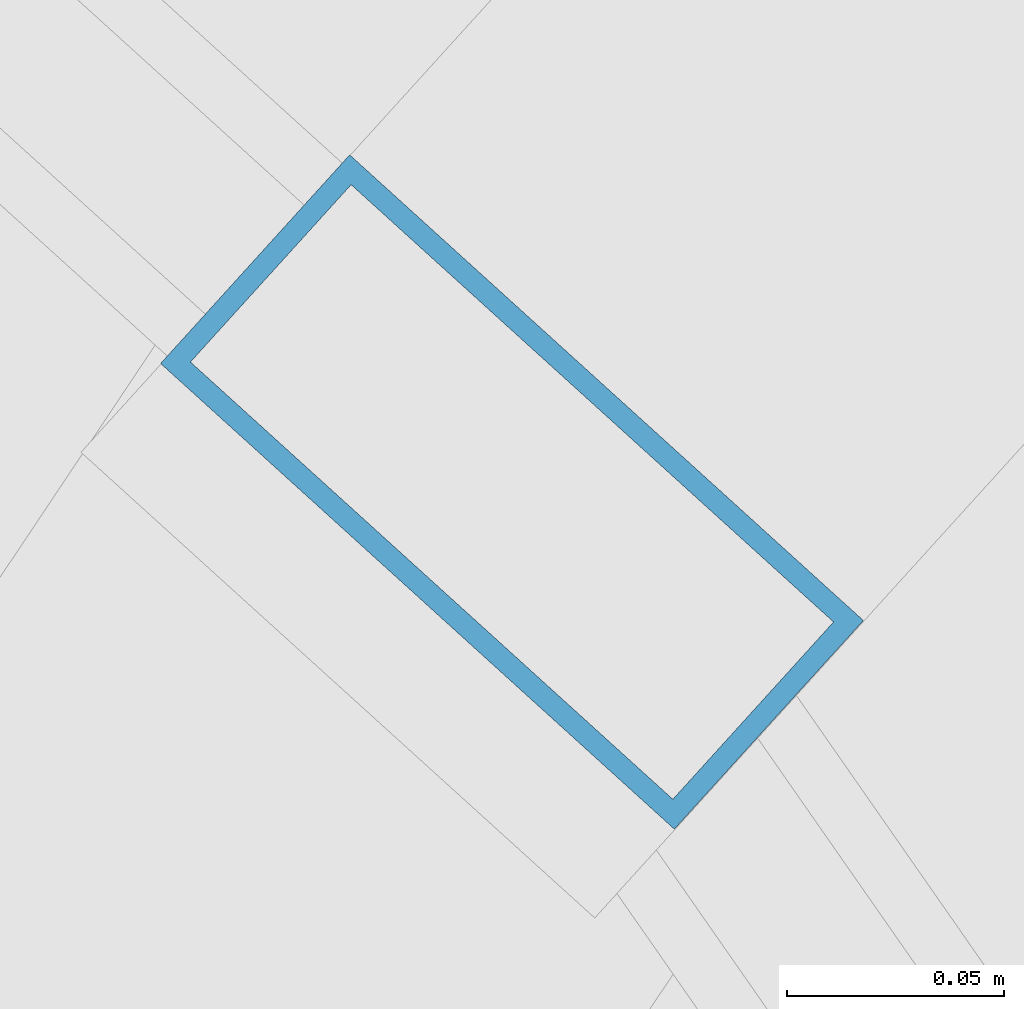
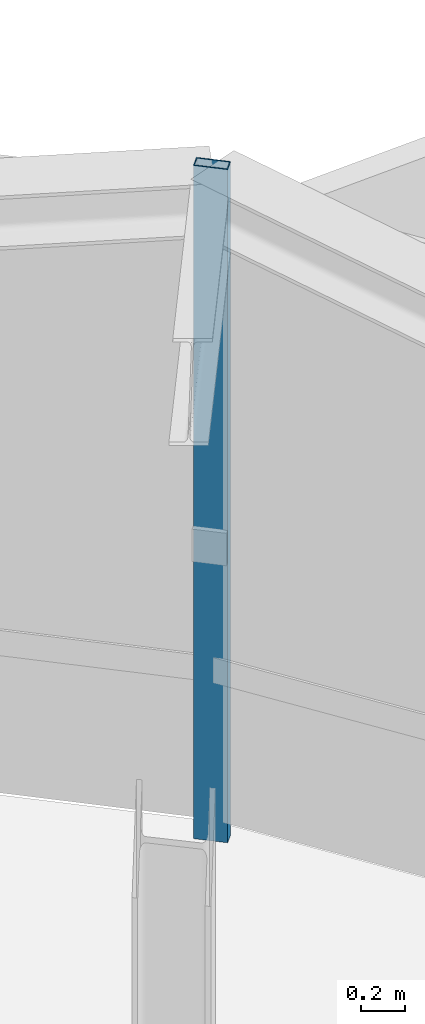
# One storey, part 17 of 26: 1 member, 1 element without a shape of its own.
"""IFC4 building model written with IfcOpenShell, lengths in metres."""

from ifc_helpers import new_model, si_unit, direction, frame, origin, origin_2d, place, context, subcontext, project, spatial, hollow_rectangle, extrude, source, transform, mapped, material, layer, layer_set, material_profile, profile_set, type_object, element, aggregate, save


model = new_model("IFC4")

# Units and contexts
model_context = context("Model", 3, precision=1e-05, world=origin(), true_north=direction((0.0, 1.0)))
body_context = subcontext(model_context, "Body", "Model", "MODEL_VIEW")
ifc_project = project(units=[si_unit("LENGTHUNIT", "METRE"), si_unit("AREAUNIT", "SQUARE_METRE"), si_unit("VOLUMEUNIT", "CUBIC_METRE"), si_unit("PLANEANGLEUNIT", "RADIAN"), si_unit("MASSUNIT", "GRAM", prefix="KILO"), si_unit("THERMODYNAMICTEMPERATUREUNIT", "KELVIN")], contexts=[model_context])

# Site, building, storey
site_placement = place(None, origin())
site = spatial("IfcSite", under=ifc_project, at=site_placement, CompositionType="ELEMENT")
building_placement = place(site_placement, origin())
building = spatial("IfcBuilding", under=site, at=building_placement, Name="Kethvar Cultural Tower", CompositionType="ELEMENT")
storey_placement = place(building_placement, frame((0.0, 0.0, 320.300048828125)))
storey = spatial("IfcBuildingStorey", under=building, at=storey_placement, Name="L85", CompositionType="ELEMENT", Elevation=320.300048828125)

# Curtain wall, member
ifc_material = material(Name="Aluminium 6063-T6", Category="aluminium")
ifc_layer = layer(ifc_material, 0.179931640625, Name="Aluminium 6063-T6", Category="aluminium")
ifc_layer_set = layer_set([ifc_layer], Name="Aluminium 6063-T6 (180 mm)")
curtain_wall_type = type_object("IfcCurtainWallType", Name="CW-SYS-06-CROWN", PredefinedType="NOTDEFINED", material=ifc_layer_set)
curtain_wall_placement = place(storey_placement, origin())
curtain_wall = element("IfcCurtainWall", 1, at=curtain_wall_placement, inside=storey, type_object=curtain_wall_type, Name="L85 Curtain Wall Run 06", PredefinedType="NOTDEFINED")
ifc_material_profile = material_profile(ifc_material, hollow_rectangle(XDim=0.06494140625, YDim=0.159912109375, WallThickness=0.0048828125, at=origin_2d()), Name="Aluminium 6063-T6 — RHS160x65x5")
ifc_profile_set = profile_set([ifc_material_profile], Name="Aluminium 6063-T6 — RHS160x65x5")
member_type = type_object("IfcMemberType", Name="CW-SYS-06-CROWN-MUL", PredefinedType="MULLION", material=ifc_profile_set)
shared_shape = source(origin(), body_context, "Body", "SweptSolid", [
    extrude(hollow_rectangle(XDim=0.06494140625, YDim=0.159912109375, WallThickness=0.0048828125, at=origin_2d()), origin(), (0.0, 0.0, 1.0), 3.73486328125),
])
member_placement = place(storey_placement, frame((59.375, 46.62451171875, 0.0), z_axis=(0.0, 0.0, 1.0), x_axis=(-0.67156542084, -0.740945264869, 0.0)))
member = element("IfcMember", 2, at=member_placement, type_object=member_type, Name="CW-L85-R06 Mullion 5", PredefinedType="MULLION", context=body_context, shape_type="MappedRepresentation", body=[
    mapped(shared_shape, transform((0.0, 0.0, 0.0), scale=1.0)),
])
aggregate(curtain_wall, [member])

save(model, "model.ifc")
